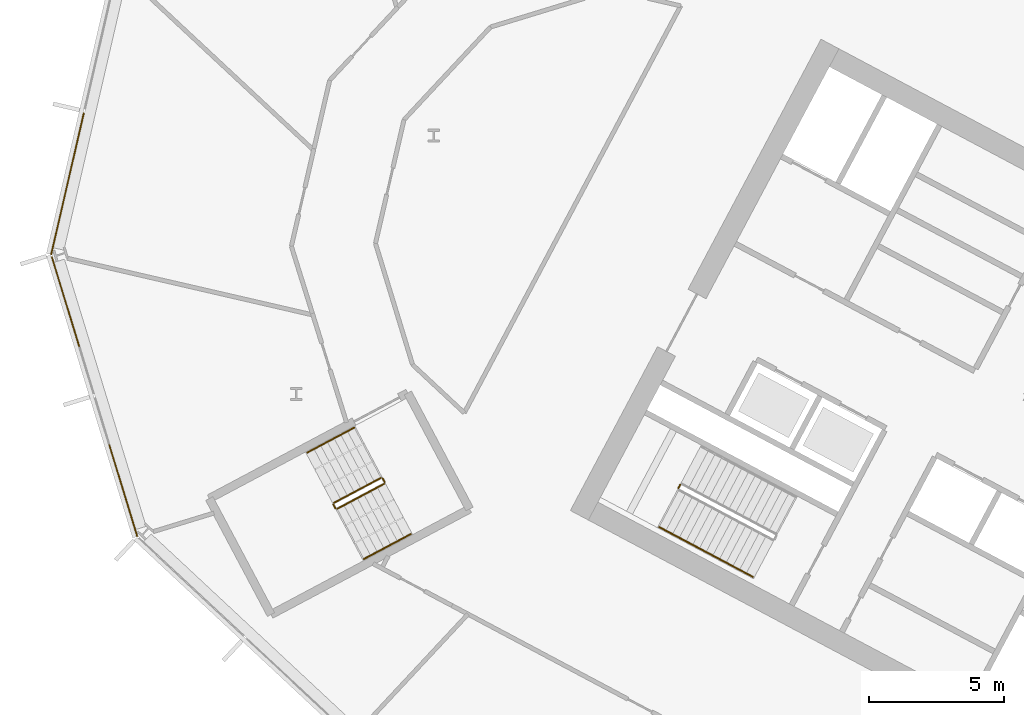
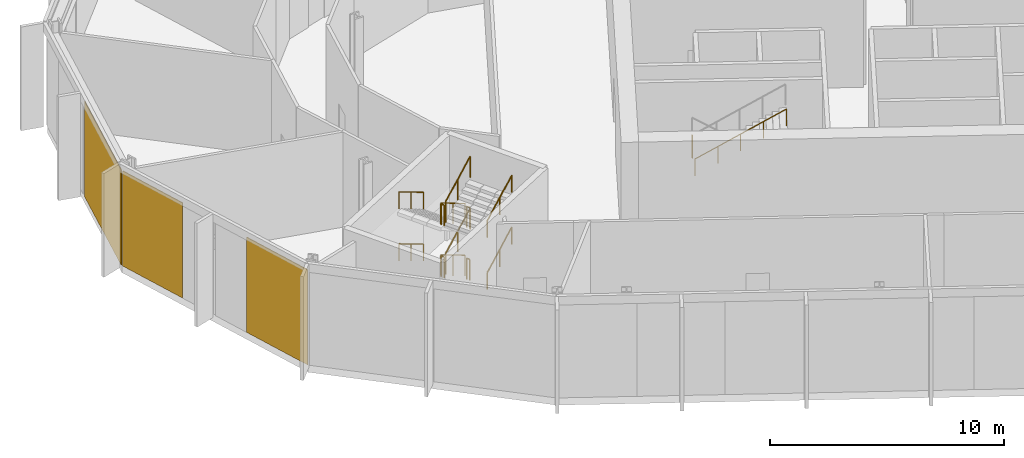
# One storey, part 22 of 31: 14 railings, 3 coverings, 2 elements without a shape of their own.
"""IFC4 building model written with IfcOpenShell, lengths in metres."""

from ifc_helpers import new_model, si_unit, direction, frame, origin, origin_2d, place, context, subcontext, project, spatial, polyline, rectangle, outline, extrude, material, layer, layer_set, type_object, element, aggregate, save


model = new_model("IFC4")

# Units and contexts
model_context = context("Model", 3, precision=1e-05, world=origin(), true_north=direction((0.0, 1.0)))
body_context = subcontext(model_context, "Body", "Model", "MODEL_VIEW")
ifc_project = project(units=[si_unit("LENGTHUNIT", "METRE"), si_unit("AREAUNIT", "SQUARE_METRE"), si_unit("VOLUMEUNIT", "CUBIC_METRE"), si_unit("PLANEANGLEUNIT", "RADIAN"), si_unit("MASSUNIT", "GRAM", prefix="KILO")], contexts=[model_context])

# Site, building, storey
site_placement = place(None, origin())
site = spatial("IfcSite", under=ifc_project, at=site_placement, CompositionType="ELEMENT")
building_placement = place(site_placement, origin())
building = spatial("IfcBuilding", under=site, at=building_placement, Name="Cormorant Relay Tower", CompositionType="ELEMENT")
storey_placement = place(building_placement, frame((0.0, 0.0, 178.199951171875)))
storey = spatial("IfcBuildingStorey", under=building, at=storey_placement, Name="L38", CompositionType="ELEMENT", Elevation=178.199951171875)

# Curtain wall, covering
ifc_material_1 = material(Name="Aluminium 6063-T6 anodised bronze", Category="aluminium")
ifc_layer_1 = layer(ifc_material_1, 0.199951171875)
ifc_layer_set_1 = layer_set([ifc_layer_1], Name="CW1 unitised bronze curtain wall with vertical fins")
curtain_wall_type = type_object("IfcCurtainWallType", Name="CW1 unitised bronze curtain wall with vertical fins", PredefinedType="NOTDEFINED", material=ifc_layer_set_1)
curtain_wall_1_placement = place(storey_placement, origin())
curtain_wall_1 = element("IfcCurtainWall", 1, at=curtain_wall_1_placement, inside=storey, type_object=curtain_wall_type, Name="CW1 curtain wall 13", PredefinedType="NOTDEFINED")
ifc_material_2 = material(Name="Pale bronze anodised aluminium insulated panel", Category="aluminium")
ifc_layer_2 = layer(ifc_material_2, 0.0400390625)
ifc_layer_set_2 = layer_set([ifc_layer_2], Name="CW1 pale bronze insulated panel 40")
covering_type = type_object("IfcCoveringType", Name="CW1 pale bronze insulated panel 40", PredefinedType="CLADDING", material=ifc_layer_set_2)
covering_1_placement = place(storey_placement, frame((-60.136474609375, 23.00927734375, 0.0), z_axis=(0.0, 0.0, 1.0), x_axis=(-0.224951054344, -0.974370064785, 0.0)))
covering_1 = element("IfcCovering", 2, at=covering_1_placement, type_object=covering_type, Name="CW1 panel S02", PredefinedType="CLADDING", context=body_context, shape_type="SweptSolid", body=[
    extrude(rectangle(XDim=5.360107421875, YDim=0.0400390625, at=origin_2d()), origin(), (0.0, 0.0, 1.0), 4.949951171875),
])
aggregate(curtain_wall_1, [covering_1])

# Curtain wall, coverings
curtain_wall_2_placement = place(storey_placement, origin())
curtain_wall_2 = element("IfcCurtainWall", 3, at=curtain_wall_2_placement, inside=storey, type_object=curtain_wall_type, Name="CW1 curtain wall 14", PredefinedType="NOTDEFINED")
covering_2_placement = place(storey_placement, frame((-60.20751953125, 18.6494140625, 0.0), z_axis=(0.0, 0.0, 1.0), x_axis=(0.292371704723, -0.956304755963, 0.0)))
covering_2 = element("IfcCovering", 4, at=covering_2_placement, type_object=covering_type, Name="CW1 panel S00", PredefinedType="CLADDING", context=body_context, shape_type="SweptSolid", body=[
    extrude(rectangle(XDim=3.485107421875, YDim=0.0400390625, at=origin_2d()), origin(), (0.0, 0.0, 1.0), 4.949951171875),
])
covering_3_placement = place(storey_placement, frame((-58.081298828125, 11.6943359375, 0.0), z_axis=(0.0, 0.0, 1.0), x_axis=(0.292371704723, -0.956304755963, 0.0)))
covering_3 = element("IfcCovering", 5, at=covering_3_placement, type_object=covering_type, Name="CW1 panel S03", PredefinedType="CLADDING", context=body_context, shape_type="SweptSolid", body=[
    extrude(rectangle(XDim=3.560302734375, YDim=0.0400390625, at=origin_2d()), origin(), (0.0, 0.0, 1.0), 4.949951171875),
])
aggregate(curtain_wall_2, [covering_2, covering_3])

# Railings
ifc_material_3 = material(Name="Steel ASTM A572 Grade 50 (Fy 345 MPa)", Category="steel")
railing_type_1 = type_object("IfcRailingType", Name="Stair guard 1100", PredefinedType="GUARDRAIL", material=ifc_material_3)
railing_1_placement = place(storey_placement, frame((-37.52099609375, 11.908935546875, 2.699951171875)))
element("IfcRailing", 6, at=railing_1_placement, inside=storey, type_object=railing_type_1, Name="L38 A2 stair guard 2", PredefinedType="GUARDRAIL", context=body_context, shape_type="SweptSolid", body=[
    extrude(outline(polyline([(0.022216796875, 0.00927734375), (0.00927734375, 0.022216796875), (-0.00927734375, 0.022216796875), (-0.022216796875, 0.00927734375), (-0.022216796875, -0.00927734375), (-0.00927734375, -0.022216796875), (0.00927734375, -0.022216796875), (0.022216796875, -0.00927734375), (0.022216796875, 0.00927734375)])), frame((0.0, 0.0, 1.076171875), z_axis=(-0.469234640946, -0.883073525669, 0.0), x_axis=(0.883073525669, -0.469234640946, 0.0)), (0.0, 0.0, 1.0), 0.14990234375),
    extrude(outline(polyline([(0.019287109375, 0.008056640625), (0.008056640625, 0.019287109375), (-0.008056640625, 0.019287109375), (-0.019287109375, 0.008056640625), (-0.019287109375, -0.008056640625), (-0.008056640625, -0.019287109375), (0.008056640625, -0.019287109375), (0.019287109375, -0.008056640625), (0.019287109375, 0.008056640625)])), origin(), (0.0, 0.0, 1.0), 1.052001953125),
    extrude(outline(polyline([(0.019287109375, 0.008056640625), (0.008056640625, 0.019287109375), (-0.008056640625, 0.019287109375), (-0.019287109375, 0.008056640625), (-0.019287109375, -0.008056640625), (-0.008056640625, -0.019287109375), (0.008056640625, -0.019287109375), (0.019287109375, -0.008056640625), (0.019287109375, 0.008056640625)])), frame((-0.0703125, -0.13232421875, 0.0)), (0.0, 0.0, 1.0), 1.052001953125),
])
railing_2_placement = place(storey_placement, frame((-48.5693359375, 12.155517578125, 0.168701171875)))
element("IfcRailing", 7, at=railing_2_placement, inside=storey, type_object=railing_type_1, Name="L38 RP1 stair guard 1", PredefinedType="GUARDRAIL", context=body_context, shape_type="SweptSolid", body=[
    extrude(outline(polyline([(0.022216796875, 0.00927734375), (0.00927734375, 0.022216796875), (-0.00927734375, 0.022216796875), (-0.022216796875, 0.00927734375), (-0.022216796875, -0.00927734375), (-0.00927734375, -0.022216796875), (0.00927734375, -0.022216796875), (0.022216796875, -0.00927734375), (0.022216796875, 0.00927734375)])), frame((0.0, 0.0, 1.076171875), z_axis=(-0.756226349707, -0.402061942735, 0.516205290765), x_axis=(0.469443581604, -0.882962470149, 0.0)), (0.0, 0.0, 1.0), 2.28857421875),
    extrude(outline(polyline([(0.019287109375, 0.008056640625), (0.008056640625, 0.019287109375), (-0.008056640625, 0.019287109375), (-0.019287109375, 0.008056640625), (-0.019287109375, -0.008056640625), (-0.008056640625, -0.019287109375), (0.008056640625, -0.019287109375), (0.019287109375, -0.008056640625), (0.019287109375, 0.008056640625)])), origin(), (0.0, 0.0, 1.0), 1.052001953125),
    extrude(outline(polyline([(0.019287109375, 0.008056640625), (0.008056640625, 0.019287109375), (-0.008056640625, 0.019287109375), (-0.019287109375, 0.008056640625), (-0.019287109375, -0.008056640625), (-0.008056640625, -0.019287109375), (0.008056640625, -0.019287109375), (0.019287109375, -0.008056640625), (0.019287109375, 0.008056640625)])), frame((-0.865234375, -0.4599609375, 0.5908203125)), (0.0, 0.0, 1.0), 1.052001953125),
    extrude(outline(polyline([(0.019287109375, 0.008056640625), (0.008056640625, 0.019287109375), (-0.008056640625, 0.019287109375), (-0.019287109375, 0.008056640625), (-0.019287109375, -0.008056640625), (-0.008056640625, -0.019287109375), (0.008056640625, -0.019287109375), (0.019287109375, -0.008056640625), (0.019287109375, 0.008056640625)])), frame((-1.730712890625, -0.920166015625, 1.181396484375)), (0.0, 0.0, 1.0), 1.052001953125),
])
railing_3_placement = place(storey_placement, frame((-50.320556640625, 11.167724609375, 1.35009765625)))
element("IfcRailing", 8, at=railing_3_placement, inside=storey, type_object=railing_type_1, Name="L38 RP1 stair guard 2", PredefinedType="GUARDRAIL", context=body_context, shape_type="SweptSolid", body=[
    extrude(outline(polyline([(0.022216796875, 0.00927734375), (0.00927734375, 0.022216796875), (-0.00927734375, 0.022216796875), (-0.022216796875, 0.00927734375), (-0.022216796875, -0.00927734375), (-0.00927734375, -0.022216796875), (0.00927734375, -0.022216796875), (0.022216796875, -0.00927734375), (0.022216796875, 0.00927734375)])), frame((0.0, 0.0, 1.076171875), z_axis=(0.46856034887, -0.8834314911, 0.0), x_axis=(0.8834314911, 0.46856034887, 0.0)), (0.0, 0.0, 1.0), 0.150146484375),
    extrude(outline(polyline([(0.019287109375, 0.008056640625), (0.008056640625, 0.019287109375), (-0.008056640625, 0.019287109375), (-0.019287109375, 0.008056640625), (-0.019287109375, -0.008056640625), (-0.008056640625, -0.019287109375), (0.008056640625, -0.019287109375), (0.019287109375, -0.008056640625), (0.019287109375, 0.008056640625)])), origin(), (0.0, 0.0, 1.0), 1.052001953125),
    extrude(outline(polyline([(0.019287109375, 0.008056640625), (0.008056640625, 0.019287109375), (-0.008056640625, 0.019287109375), (-0.019287109375, 0.008056640625), (-0.019287109375, -0.008056640625), (-0.008056640625, -0.019287109375), (0.008056640625, -0.019287109375), (0.019287109375, -0.008056640625), (0.019287109375, 0.008056640625)])), frame((0.0703125, -0.132568359375, 0.0)), (0.0, 0.0, 1.0), 1.052001953125),
])
railing_4_placement = place(storey_placement, frame((-50.1826171875, 11.014404296875, 1.518798828125)))
element("IfcRailing", 9, at=railing_4_placement, inside=storey, type_object=railing_type_1, Name="L38 RP1 stair guard 3", PredefinedType="GUARDRAIL", context=body_context, shape_type="SweptSolid", body=[
    extrude(outline(polyline([(0.022216796875, 0.00927734375), (0.00927734375, 0.022216796875), (-0.00927734375, 0.022216796875), (-0.022216796875, 0.00927734375), (-0.022216796875, -0.00927734375), (-0.00927734375, -0.022216796875), (0.00927734375, -0.022216796875), (0.022216796875, -0.00927734375), (0.022216796875, 0.00927734375)])), frame((0.0, 0.0, 1.076171875), z_axis=(0.756267991755, 0.402084082512, 0.516127034012), x_axis=(-0.469443581604, 0.882962470149, 0.0)), (0.0, 0.0, 1.0), 2.28857421875),
    extrude(outline(polyline([(0.019287109375, 0.008056640625), (0.008056640625, 0.019287109375), (-0.008056640625, 0.019287109375), (-0.019287109375, 0.008056640625), (-0.019287109375, -0.008056640625), (-0.008056640625, -0.019287109375), (0.008056640625, -0.019287109375), (0.019287109375, -0.008056640625), (0.019287109375, 0.008056640625)])), origin(), (0.0, 0.0, 1.0), 1.052001953125),
    extrude(outline(polyline([(0.019287109375, 0.008056640625), (0.008056640625, 0.019287109375), (-0.008056640625, 0.019287109375), (-0.019287109375, 0.008056640625), (-0.019287109375, -0.008056640625), (-0.008056640625, -0.019287109375), (0.008056640625, -0.019287109375), (0.019287109375, -0.008056640625), (0.019287109375, 0.008056640625)])), frame((0.865234375, 0.4599609375, 0.590576171875)), (0.0, 0.0, 1.0), 1.052001953125),
    extrude(outline(polyline([(0.019287109375, 0.008056640625), (0.008056640625, 0.019287109375), (-0.008056640625, 0.019287109375), (-0.019287109375, 0.008056640625), (-0.019287109375, -0.008056640625), (-0.008056640625, -0.019287109375), (0.008056640625, -0.019287109375), (0.019287109375, -0.008056640625), (0.019287109375, 0.008056640625)])), frame((1.730712890625, 0.920166015625, 1.18115234375)), (0.0, 0.0, 1.0), 1.052001953125),
])
railing_5_placement = place(storey_placement, frame((-48.501708984375, 12.134765625, 2.699951171875)))
element("IfcRailing", 10, at=railing_5_placement, inside=storey, type_object=railing_type_1, Name="L38 RP1 stair guard 4", PredefinedType="GUARDRAIL", context=body_context, shape_type="SweptSolid", body=[
    extrude(outline(polyline([(0.022216796875, 0.00927734375), (0.00927734375, 0.022216796875), (-0.00927734375, 0.022216796875), (-0.022216796875, 0.00927734375), (-0.022216796875, -0.00927734375), (-0.00927734375, -0.022216796875), (0.00927734375, -0.022216796875), (0.022216796875, -0.00927734375), (0.022216796875, 0.00927734375)])), frame((0.0, 0.0, 1.076171875), z_axis=(0.46856034887, -0.8834314911, 0.0), x_axis=(0.8834314911, 0.46856034887, 0.0)), (0.0, 0.0, 1.0), 0.150146484375),
    extrude(outline(polyline([(0.019287109375, 0.008056640625), (0.008056640625, 0.019287109375), (-0.008056640625, 0.019287109375), (-0.019287109375, 0.008056640625), (-0.019287109375, -0.008056640625), (-0.008056640625, -0.019287109375), (0.008056640625, -0.019287109375), (0.019287109375, -0.008056640625), (0.019287109375, 0.008056640625)])), origin(), (0.0, 0.0, 1.0), 1.052001953125),
    extrude(outline(polyline([(0.019287109375, 0.008056640625), (0.008056640625, 0.019287109375), (-0.008056640625, 0.019287109375), (-0.019287109375, 0.008056640625), (-0.019287109375, -0.008056640625), (-0.008056640625, -0.019287109375), (0.008056640625, -0.019287109375), (0.019287109375, -0.008056640625), (0.019287109375, 0.008056640625)])), frame((0.0703125, -0.132568359375, 0.0)), (0.0, 0.0, 1.0), 1.052001953125),
])
railing_6_placement = place(storey_placement, frame((-48.5693359375, 12.155517578125, 2.868896484375)))
element("IfcRailing", 11, at=railing_6_placement, inside=storey, type_object=railing_type_1, Name="L38 RP1 stair guard 5", PredefinedType="GUARDRAIL", context=body_context, shape_type="SweptSolid", body=[
    extrude(outline(polyline([(0.022216796875, 0.00927734375), (0.00927734375, 0.022216796875), (-0.00927734375, 0.022216796875), (-0.022216796875, 0.00927734375), (-0.022216796875, -0.00927734375), (-0.00927734375, -0.022216796875), (0.00927734375, -0.022216796875), (0.022216796875, -0.00927734375), (0.022216796875, 0.00927734375)])), frame((0.0, 0.0, 1.076171875), z_axis=(-0.756267991755, -0.402084082512, 0.516127034012), x_axis=(0.469443581604, -0.882962470149, 0.0)), (0.0, 0.0, 1.0), 2.28857421875),
    extrude(outline(polyline([(0.019287109375, 0.008056640625), (0.008056640625, 0.019287109375), (-0.008056640625, 0.019287109375), (-0.019287109375, 0.008056640625), (-0.019287109375, -0.008056640625), (-0.008056640625, -0.019287109375), (0.008056640625, -0.019287109375), (0.019287109375, -0.008056640625), (0.019287109375, 0.008056640625)])), origin(), (0.0, 0.0, 1.0), 1.052001953125),
    extrude(outline(polyline([(0.019287109375, 0.008056640625), (0.008056640625, 0.019287109375), (-0.008056640625, 0.019287109375), (-0.019287109375, 0.008056640625), (-0.019287109375, -0.008056640625), (-0.008056640625, -0.019287109375), (0.008056640625, -0.019287109375), (0.019287109375, -0.008056640625), (0.019287109375, 0.008056640625)])), frame((-0.865234375, -0.4599609375, 0.590576171875)), (0.0, 0.0, 1.0), 1.052001953125),
    extrude(outline(polyline([(0.019287109375, 0.008056640625), (0.008056640625, 0.019287109375), (-0.008056640625, 0.019287109375), (-0.019287109375, 0.008056640625), (-0.019287109375, -0.008056640625), (-0.008056640625, -0.019287109375), (0.008056640625, -0.019287109375), (0.019287109375, -0.008056640625), (0.019287109375, 0.008056640625)])), frame((-1.730712890625, -0.920166015625, 1.18115234375)), (0.0, 0.0, 1.0), 1.052001953125),
])
railing_7_placement = place(storey_placement, frame((-50.320556640625, 11.167724609375, 4.050048828125)))
element("IfcRailing", 12, at=railing_7_placement, inside=storey, type_object=railing_type_1, Name="L38 RP1 stair guard 6", PredefinedType="GUARDRAIL", context=body_context, shape_type="SweptSolid", body=[
    extrude(outline(polyline([(0.022216796875, 0.00927734375), (0.00927734375, 0.022216796875), (-0.00927734375, 0.022216796875), (-0.022216796875, 0.00927734375), (-0.022216796875, -0.00927734375), (-0.00927734375, -0.022216796875), (0.00927734375, -0.022216796875), (0.022216796875, -0.00927734375), (0.022216796875, 0.00927734375)])), frame((0.0, 0.0, 1.076171875), z_axis=(0.46856034887, -0.8834314911, 0.0), x_axis=(0.8834314911, 0.46856034887, 0.0)), (0.0, 0.0, 1.0), 0.150146484375),
    extrude(outline(polyline([(0.019287109375, 0.008056640625), (0.008056640625, 0.019287109375), (-0.008056640625, 0.019287109375), (-0.019287109375, 0.008056640625), (-0.019287109375, -0.008056640625), (-0.008056640625, -0.019287109375), (0.008056640625, -0.019287109375), (0.019287109375, -0.008056640625), (0.019287109375, 0.008056640625)])), origin(), (0.0, 0.0, 1.0), 1.052001953125),
    extrude(outline(polyline([(0.019287109375, 0.008056640625), (0.008056640625, 0.019287109375), (-0.008056640625, 0.019287109375), (-0.019287109375, 0.008056640625), (-0.019287109375, -0.008056640625), (-0.008056640625, -0.019287109375), (0.008056640625, -0.019287109375), (0.019287109375, -0.008056640625), (0.019287109375, 0.008056640625)])), frame((0.0703125, -0.132568359375, 0.0)), (0.0, 0.0, 1.0), 1.052001953125),
])
railing_8_placement = place(storey_placement, frame((-50.1826171875, 11.014404296875, 4.21875)))
element("IfcRailing", 13, at=railing_8_placement, inside=storey, type_object=railing_type_1, Name="L38 RP1 stair guard 7", PredefinedType="GUARDRAIL", context=body_context, shape_type="SweptSolid", body=[
    extrude(outline(polyline([(0.022216796875, 0.00927734375), (0.00927734375, 0.022216796875), (-0.00927734375, 0.022216796875), (-0.022216796875, 0.00927734375), (-0.022216796875, -0.00927734375), (-0.00927734375, -0.022216796875), (0.00927734375, -0.022216796875), (0.022216796875, -0.00927734375), (0.022216796875, 0.00927734375)])), frame((0.0, 0.0, 1.076171875), z_axis=(0.756226349707, 0.402061942735, 0.516205290765), x_axis=(-0.469443581604, 0.882962470149, 0.0)), (0.0, 0.0, 1.0), 2.28857421875),
    extrude(outline(polyline([(0.019287109375, 0.008056640625), (0.008056640625, 0.019287109375), (-0.008056640625, 0.019287109375), (-0.019287109375, 0.008056640625), (-0.019287109375, -0.008056640625), (-0.008056640625, -0.019287109375), (0.008056640625, -0.019287109375), (0.019287109375, -0.008056640625), (0.019287109375, 0.008056640625)])), origin(), (0.0, 0.0, 1.0), 1.052001953125),
    extrude(outline(polyline([(0.019287109375, 0.008056640625), (0.008056640625, 0.019287109375), (-0.008056640625, 0.019287109375), (-0.019287109375, 0.008056640625), (-0.019287109375, -0.008056640625), (-0.008056640625, -0.019287109375), (0.008056640625, -0.019287109375), (0.019287109375, -0.008056640625), (0.019287109375, 0.008056640625)])), frame((0.865234375, 0.4599609375, 0.5908203125)), (0.0, 0.0, 1.0), 1.052001953125),
    extrude(outline(polyline([(0.019287109375, 0.008056640625), (0.008056640625, 0.019287109375), (-0.008056640625, 0.019287109375), (-0.019287109375, 0.008056640625), (-0.019287109375, -0.008056640625), (-0.008056640625, -0.019287109375), (0.008056640625, -0.019287109375), (0.019287109375, -0.008056640625), (0.019287109375, 0.008056640625)])), frame((1.730712890625, 0.920166015625, 1.181396484375)), (0.0, 0.0, 1.0), 1.052001953125),
])
railing_9_placement = place(storey_placement, frame((-48.501708984375, 12.134765625, 0.0)))
element("IfcRailing", 14, at=railing_9_placement, inside=storey, type_object=railing_type_1, Name="L38 RP1 stair guard 8", PredefinedType="GUARDRAIL", context=body_context, shape_type="SweptSolid", body=[
    extrude(outline(polyline([(0.022216796875, 0.00927734375), (0.00927734375, 0.022216796875), (-0.00927734375, 0.022216796875), (-0.022216796875, 0.00927734375), (-0.022216796875, -0.00927734375), (-0.00927734375, -0.022216796875), (0.00927734375, -0.022216796875), (0.022216796875, -0.00927734375), (0.022216796875, 0.00927734375)])), frame((0.0, 0.0, 1.076171875), z_axis=(0.46856034887, -0.8834314911, 0.0), x_axis=(0.8834314911, 0.46856034887, 0.0)), (0.0, 0.0, 1.0), 0.150146484375),
    extrude(outline(polyline([(0.019287109375, 0.008056640625), (0.008056640625, 0.019287109375), (-0.008056640625, 0.019287109375), (-0.019287109375, 0.008056640625), (-0.019287109375, -0.008056640625), (-0.008056640625, -0.019287109375), (0.008056640625, -0.019287109375), (0.019287109375, -0.008056640625), (0.019287109375, 0.008056640625)])), origin(), (0.0, 0.0, 1.0), 1.052001953125),
    extrude(outline(polyline([(0.019287109375, 0.008056640625), (0.008056640625, 0.019287109375), (-0.008056640625, 0.019287109375), (-0.019287109375, 0.008056640625), (-0.019287109375, -0.008056640625), (-0.008056640625, -0.019287109375), (0.008056640625, -0.019287109375), (0.019287109375, -0.008056640625), (0.019287109375, 0.008056640625)])), frame((0.0703125, -0.132568359375, 0.0)), (0.0, 0.0, 1.0), 1.052001953125),
])
ifc_material_4 = material(Name="Steel ASTM A572 Grade 50 (Fy 345 MPa)", Category="steel")
railing_type_2 = type_object("IfcRailingType", Name="Stair handrail 900", PredefinedType="HANDRAIL", material=ifc_material_4)
railing_10_placement = place(storey_placement, frame((-38.29833984375, 10.34033203125, 2.880126953125)))
element("IfcRailing", 15, at=railing_10_placement, inside=storey, type_object=railing_type_2, Name="L38 A2 stair handrail 2", PredefinedType="HANDRAIL", context=body_context, shape_type="SweptSolid", body=[
    extrude(outline(polyline([(0.022216796875, 0.00927734375), (0.00927734375, 0.022216796875), (-0.00927734375, 0.022216796875), (-0.022216796875, 0.00927734375), (-0.022216796875, -0.00927734375), (-0.00927734375, -0.022216796875), (0.00927734375, -0.022216796875), (0.022216796875, -0.00927734375), (0.022216796875, 0.00927734375)])), frame((0.0, 0.0, 0.8759765625), z_axis=(0.74271721126, -0.394907409077, 0.540758062681), x_axis=(0.469469396681, 0.882948744594, 0.0)), (0.0, 0.0, 1.0), 4.66015625),
    extrude(outline(polyline([(0.019287109375, 0.008056640625), (0.008056640625, 0.019287109375), (-0.008056640625, 0.019287109375), (-0.019287109375, 0.008056640625), (-0.019287109375, -0.008056640625), (-0.008056640625, -0.019287109375), (0.008056640625, -0.019287109375), (0.019287109375, -0.008056640625), (0.019287109375, 0.008056640625)])), origin(), (0.0, 0.0, 1.0), 0.851806640625),
    extrude(outline(polyline([(0.019287109375, 0.008056640625), (0.008056640625, 0.019287109375), (-0.008056640625, 0.019287109375), (-0.019287109375, 0.008056640625), (-0.019287109375, -0.008056640625), (-0.008056640625, -0.019287109375), (0.008056640625, -0.019287109375), (0.019287109375, -0.008056640625), (0.019287109375, 0.008056640625)])), frame((0.865234375, -0.4599609375, 0.6298828125)), (0.0, 0.0, 1.0), 0.851806640625),
    extrude(outline(polyline([(0.019287109375, 0.008056640625), (0.008056640625, 0.019287109375), (-0.008056640625, 0.019287109375), (-0.019287109375, 0.008056640625), (-0.019287109375, -0.008056640625), (-0.008056640625, -0.019287109375), (0.008056640625, -0.019287109375), (0.019287109375, -0.008056640625), (0.019287109375, 0.008056640625)])), frame((1.73046875, -0.920166015625, 1.260009765625)), (0.0, 0.0, 1.0), 0.851806640625),
    extrude(outline(polyline([(0.019287109375, 0.008056640625), (0.008056640625, 0.019287109375), (-0.008056640625, 0.019287109375), (-0.019287109375, 0.008056640625), (-0.019287109375, -0.008056640625), (-0.008056640625, -0.019287109375), (0.008056640625, -0.019287109375), (0.019287109375, -0.008056640625), (0.019287109375, 0.008056640625)])), frame((2.595947265625, -1.38037109375, 1.89013671875)), (0.0, 0.0, 1.0), 0.851806640625),
    extrude(outline(polyline([(0.019287109375, 0.008056640625), (0.008056640625, 0.019287109375), (-0.008056640625, 0.019287109375), (-0.019287109375, 0.008056640625), (-0.019287109375, -0.008056640625), (-0.008056640625, -0.019287109375), (0.008056640625, -0.019287109375), (0.019287109375, -0.008056640625), (0.019287109375, 0.008056640625)])), frame((3.461181640625, -1.84033203125, 2.52001953125)), (0.0, 0.0, 1.0), 0.851806640625),
])
railing_11_placement = place(storey_placement, frame((-49.55517578125, 14.009521484375, 0.168701171875)))
element("IfcRailing", 16, at=railing_11_placement, inside=storey, type_object=railing_type_2, Name="L38 RP1 stair handrail 1", PredefinedType="HANDRAIL", context=body_context, shape_type="SweptSolid", body=[
    extrude(outline(polyline([(0.022216796875, 0.00927734375), (0.00927734375, 0.022216796875), (-0.00927734375, 0.022216796875), (-0.022216796875, 0.00927734375), (-0.022216796875, -0.00927734375), (-0.00927734375, -0.022216796875), (0.00927734375, -0.022216796875), (0.022216796875, -0.00927734375), (0.022216796875, 0.00927734375)])), frame((0.0, 0.0, 0.8759765625), z_axis=(-0.756226349707, -0.402061942735, 0.516205290765), x_axis=(0.469443581604, -0.882962470149, 0.0)), (0.0, 0.0, 1.0), 2.28857421875),
    extrude(outline(polyline([(0.019287109375, 0.008056640625), (0.008056640625, 0.019287109375), (-0.008056640625, 0.019287109375), (-0.019287109375, 0.008056640625), (-0.019287109375, -0.008056640625), (-0.008056640625, -0.019287109375), (0.008056640625, -0.019287109375), (0.019287109375, -0.008056640625), (0.019287109375, 0.008056640625)])), origin(), (0.0, 0.0, 1.0), 0.851806640625),
    extrude(outline(polyline([(0.019287109375, 0.008056640625), (0.008056640625, 0.019287109375), (-0.008056640625, 0.019287109375), (-0.019287109375, 0.008056640625), (-0.019287109375, -0.008056640625), (-0.008056640625, -0.019287109375), (0.008056640625, -0.019287109375), (0.019287109375, -0.008056640625), (0.019287109375, 0.008056640625)])), frame((-0.865234375, -0.4599609375, 0.5908203125)), (0.0, 0.0, 1.0), 0.851806640625),
    extrude(outline(polyline([(0.019287109375, 0.008056640625), (0.008056640625, 0.019287109375), (-0.008056640625, 0.019287109375), (-0.019287109375, 0.008056640625), (-0.019287109375, -0.008056640625), (-0.008056640625, -0.019287109375), (0.008056640625, -0.019287109375), (0.019287109375, -0.008056640625), (0.019287109375, 0.008056640625)])), frame((-1.730712890625, -0.920166015625, 1.181396484375)), (0.0, 0.0, 1.0), 0.851806640625),
])
railing_12_placement = place(storey_placement, frame((-49.19677734375, 9.160400390625, 1.518798828125)))
element("IfcRailing", 17, at=railing_12_placement, inside=storey, type_object=railing_type_2, Name="L38 RP1 stair handrail 2", PredefinedType="HANDRAIL", context=body_context, shape_type="SweptSolid", body=[
    extrude(outline(polyline([(0.022216796875, 0.00927734375), (0.00927734375, 0.022216796875), (-0.00927734375, 0.022216796875), (-0.022216796875, 0.00927734375), (-0.022216796875, -0.00927734375), (-0.00927734375, -0.022216796875), (0.00927734375, -0.022216796875), (0.022216796875, -0.00927734375), (0.022216796875, 0.00927734375)])), frame((0.0, 0.0, 0.8759765625), z_axis=(0.756267991755, 0.402084082512, 0.516127034012), x_axis=(-0.469443581604, 0.882962470149, 0.0)), (0.0, 0.0, 1.0), 2.28857421875),
    extrude(outline(polyline([(0.019287109375, 0.008056640625), (0.008056640625, 0.019287109375), (-0.008056640625, 0.019287109375), (-0.019287109375, 0.008056640625), (-0.019287109375, -0.008056640625), (-0.008056640625, -0.019287109375), (0.008056640625, -0.019287109375), (0.019287109375, -0.008056640625), (0.019287109375, 0.008056640625)])), origin(), (0.0, 0.0, 1.0), 0.851806640625),
    extrude(outline(polyline([(0.019287109375, 0.008056640625), (0.008056640625, 0.019287109375), (-0.008056640625, 0.019287109375), (-0.019287109375, 0.008056640625), (-0.019287109375, -0.008056640625), (-0.008056640625, -0.019287109375), (0.008056640625, -0.019287109375), (0.019287109375, -0.008056640625), (0.019287109375, 0.008056640625)])), frame((0.865234375, 0.4599609375, 0.590576171875)), (0.0, 0.0, 1.0), 0.851806640625),
    extrude(outline(polyline([(0.019287109375, 0.008056640625), (0.008056640625, 0.019287109375), (-0.008056640625, 0.019287109375), (-0.019287109375, 0.008056640625), (-0.019287109375, -0.008056640625), (-0.008056640625, -0.019287109375), (0.008056640625, -0.019287109375), (0.019287109375, -0.008056640625), (0.019287109375, 0.008056640625)])), frame((1.730712890625, 0.920166015625, 1.18115234375)), (0.0, 0.0, 1.0), 0.851806640625),
])
railing_13_placement = place(storey_placement, frame((-49.55517578125, 14.009521484375, 2.868896484375)))
element("IfcRailing", 18, at=railing_13_placement, inside=storey, type_object=railing_type_2, Name="L38 RP1 stair handrail 3", PredefinedType="HANDRAIL", context=body_context, shape_type="SweptSolid", body=[
    extrude(outline(polyline([(0.022216796875, 0.00927734375), (0.00927734375, 0.022216796875), (-0.00927734375, 0.022216796875), (-0.022216796875, 0.00927734375), (-0.022216796875, -0.00927734375), (-0.00927734375, -0.022216796875), (0.00927734375, -0.022216796875), (0.022216796875, -0.00927734375), (0.022216796875, 0.00927734375)])), frame((0.0, 0.0, 0.8759765625), z_axis=(-0.756267991755, -0.402084082512, 0.516127034012), x_axis=(0.469443581604, -0.882962470149, 0.0)), (0.0, 0.0, 1.0), 2.28857421875),
    extrude(outline(polyline([(0.019287109375, 0.008056640625), (0.008056640625, 0.019287109375), (-0.008056640625, 0.019287109375), (-0.019287109375, 0.008056640625), (-0.019287109375, -0.008056640625), (-0.008056640625, -0.019287109375), (0.008056640625, -0.019287109375), (0.019287109375, -0.008056640625), (0.019287109375, 0.008056640625)])), origin(), (0.0, 0.0, 1.0), 0.851806640625),
    extrude(outline(polyline([(0.019287109375, 0.008056640625), (0.008056640625, 0.019287109375), (-0.008056640625, 0.019287109375), (-0.019287109375, 0.008056640625), (-0.019287109375, -0.008056640625), (-0.008056640625, -0.019287109375), (0.008056640625, -0.019287109375), (0.019287109375, -0.008056640625), (0.019287109375, 0.008056640625)])), frame((-0.865234375, -0.4599609375, 0.590576171875)), (0.0, 0.0, 1.0), 0.851806640625),
    extrude(outline(polyline([(0.019287109375, 0.008056640625), (0.008056640625, 0.019287109375), (-0.008056640625, 0.019287109375), (-0.019287109375, 0.008056640625), (-0.019287109375, -0.008056640625), (-0.008056640625, -0.019287109375), (0.008056640625, -0.019287109375), (0.019287109375, -0.008056640625), (0.019287109375, 0.008056640625)])), frame((-1.730712890625, -0.920166015625, 1.18115234375)), (0.0, 0.0, 1.0), 0.851806640625),
])
railing_14_placement = place(storey_placement, frame((-49.19677734375, 9.160400390625, 4.21875)))
element("IfcRailing", 19, at=railing_14_placement, inside=storey, type_object=railing_type_2, Name="L38 RP1 stair handrail 4", PredefinedType="HANDRAIL", context=body_context, shape_type="SweptSolid", body=[
    extrude(outline(polyline([(0.022216796875, 0.00927734375), (0.00927734375, 0.022216796875), (-0.00927734375, 0.022216796875), (-0.022216796875, 0.00927734375), (-0.022216796875, -0.00927734375), (-0.00927734375, -0.022216796875), (0.00927734375, -0.022216796875), (0.022216796875, -0.00927734375), (0.022216796875, 0.00927734375)])), frame((0.0, 0.0, 0.8759765625), z_axis=(0.756226349707, 0.402061942735, 0.516205290765), x_axis=(-0.469443581604, 0.882962470149, 0.0)), (0.0, 0.0, 1.0), 2.28857421875),
    extrude(outline(polyline([(0.019287109375, 0.008056640625), (0.008056640625, 0.019287109375), (-0.008056640625, 0.019287109375), (-0.019287109375, 0.008056640625), (-0.019287109375, -0.008056640625), (-0.008056640625, -0.019287109375), (0.008056640625, -0.019287109375), (0.019287109375, -0.008056640625), (0.019287109375, 0.008056640625)])), origin(), (0.0, 0.0, 1.0), 0.851806640625),
    extrude(outline(polyline([(0.019287109375, 0.008056640625), (0.008056640625, 0.019287109375), (-0.008056640625, 0.019287109375), (-0.019287109375, 0.008056640625), (-0.019287109375, -0.008056640625), (-0.008056640625, -0.019287109375), (0.008056640625, -0.019287109375), (0.019287109375, -0.008056640625), (0.019287109375, 0.008056640625)])), frame((0.865234375, 0.4599609375, 0.5908203125)), (0.0, 0.0, 1.0), 0.851806640625),
    extrude(outline(polyline([(0.019287109375, 0.008056640625), (0.008056640625, 0.019287109375), (-0.008056640625, 0.019287109375), (-0.019287109375, 0.008056640625), (-0.019287109375, -0.008056640625), (-0.008056640625, -0.019287109375), (0.008056640625, -0.019287109375), (0.019287109375, -0.008056640625), (0.019287109375, 0.008056640625)])), frame((1.730712890625, 0.920166015625, 1.181396484375)), (0.0, 0.0, 1.0), 0.851806640625),
])

save(model, "model.ifc")
